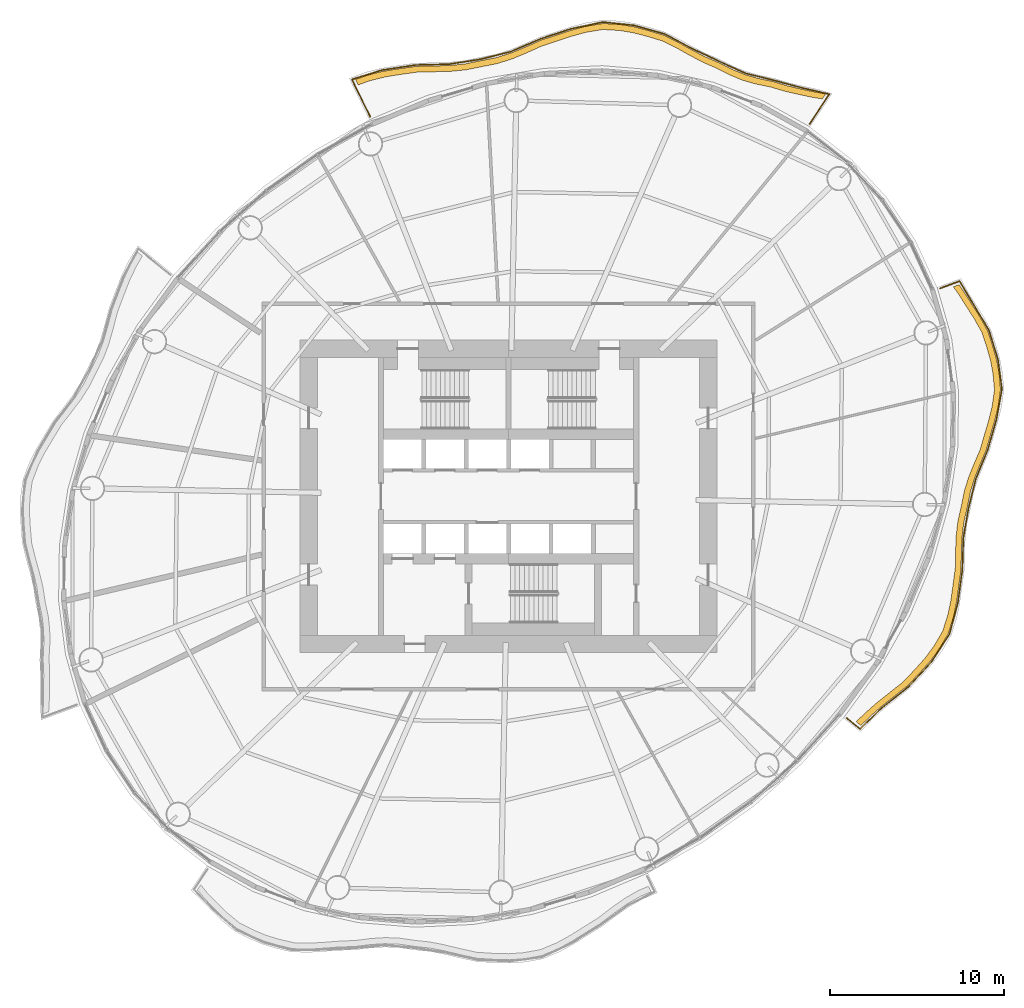
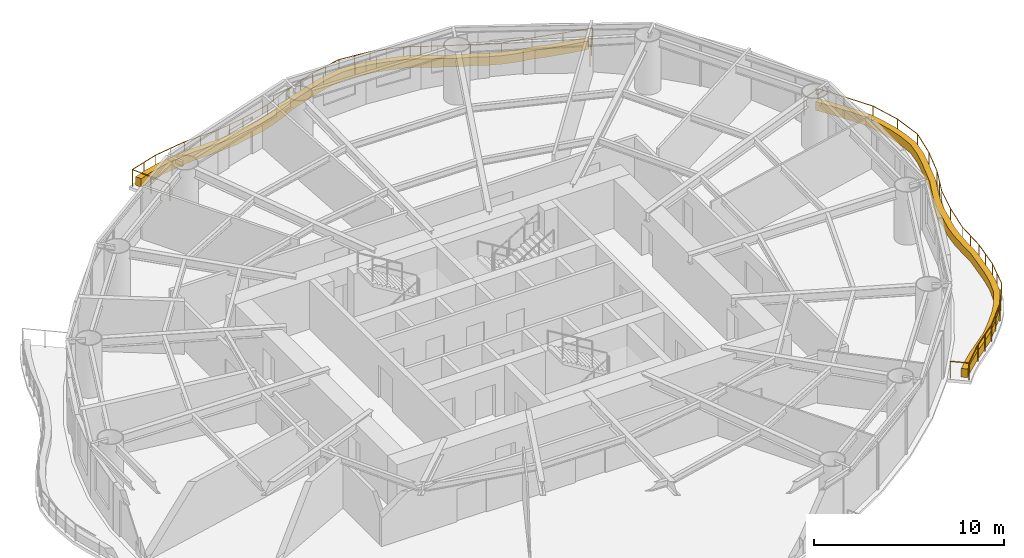
# One storey, part 14 of 14: 2 coverings, 2 railings.
"""IFC4 building model written with IfcOpenShell, lengths in metres."""

from ifc_helpers import new_model, si_unit, direction, frame, origin, origin_2d, place, context, subcontext, project, spatial, polyline, circle, outline, extrude, material, type_object, element, save


model = new_model("IFC4")

# Units and contexts
model_context = context("Model", 3, precision=1e-05, world=origin(), true_north=direction((0.0, 1.0)))
body_context = subcontext(model_context, "Body", "Model", "MODEL_VIEW")
ifc_project = project(units=[si_unit("LENGTHUNIT", "METRE"), si_unit("AREAUNIT", "SQUARE_METRE"), si_unit("VOLUMEUNIT", "CUBIC_METRE"), si_unit("PLANEANGLEUNIT", "RADIAN"), si_unit("MASSUNIT", "GRAM", prefix="KILO")], contexts=[model_context])

# Site, building, storey
site_placement = place(None, origin())
site = spatial("IfcSite", under=ifc_project, at=site_placement, CompositionType="ELEMENT")
building_placement = place(site_placement, origin())
building = spatial("IfcBuilding", under=site, at=building_placement, Name="Vermilion Reach Broadcast Tower", CompositionType="ELEMENT")
storey_placement = place(building_placement, frame((0.0, 0.0, 186.60009765625)))
storey = spatial("IfcBuildingStorey", under=building, at=storey_placement, Name="L45", CompositionType="ELEMENT", Elevation=186.60009765625)

# Coverings
ifc_material_1 = material(Name="Planting soil and greenery")
covering_type = type_object("IfcCoveringType", Name="Balcony PLANTER", PredefinedType="USERDEFINED", material=ifc_material_1)
placement = place(storey_placement, origin())
element("IfcCovering", 1, at=placement, inside=storey, type_object=covering_type, Name="PLANTER L45 group 1", ObjectType="PLANTER", PredefinedType="USERDEFINED", context=body_context, shape_type="SweptSolid", body=[
    extrude(outline(polyline([(12.265380859375, 23.180908203125), (11.613037109375, 23.29541015625), (10.833984375, 23.4638671875), (10.059814453125, 23.64111328125), (9.221435546875, 23.894775390625), (8.35791015625, 24.0751953125), (7.607177734375, 24.29150390625), (6.884521484375, 24.58251953125), (6.111083984375, 24.975830078125), (5.2861328125, 25.32861328125), (4.55322265625, 25.71240234375), (3.825439453125, 26.119384765625), (2.962158203125, 26.55126953125), (2.025146484375, 26.83447265625), (1.22021484375, 27.0458984375), (0.408935546875, 27.177734375), (-0.56494140625, 27.234375), (-1.55517578125, 27.0751953125), (-2.385986328125, 26.84912109375), (-3.214599609375, 26.572998046875), (-4.142333984375, 26.274169921875), (-5.0478515625, 25.870361328125), (-5.863525390625, 25.533447265625), (-6.6923828125, 25.27294921875), (-7.59765625, 25.094970703125), (-8.52099609375, 24.90234375), (-9.41064453125, 24.81396484375), (-10.318603515625, 24.788818359375), (-11.333251953125, 24.766357421875), (-12.350341796875, 24.62158203125), (-13.2568359375, 24.474365234375), (-14.133056640625, 24.25537109375), (-14.818603515625, 24.009765625), (-14.6650390625, 23.695068359375), (-13.9970703125, 23.932861328125), (-13.12109375, 24.15185546875), (-12.214599609375, 24.299072265625), (-11.215576171875, 24.4365234375), (-10.219970703125, 24.453125), (-9.311767578125, 24.478271484375), (-8.422119140625, 24.566650390625), (-7.5185546875, 24.75390625), (-6.63330078125, 24.927978515625), (-5.8046875, 25.1884765625), (-4.989013671875, 25.525390625), (-4.1044921875, 25.926025390625), (-3.1982421875, 26.223388671875), (-2.36962890625, 26.49951171875), (-1.53857421875, 26.7255859375), (-0.57080078125, 26.884521484375), (0.380615234375, 26.828857421875), (1.19189453125, 26.697021484375), (1.996826171875, 26.48583984375), (2.91015625, 26.205078125), (3.750244140625, 25.777587890625), (4.47802734375, 25.37060546875), (5.2109375, 24.98681640625), (6.011962890625, 24.640380859375), (6.761474609375, 24.2548828125), (7.484130859375, 23.9638671875), (8.23486328125, 23.747314453125), (9.074462890625, 23.576904296875), (9.8896484375, 23.33544921875), (10.663818359375, 23.157958984375), (11.44287109375, 22.989501953125), (12.072265625, 22.88916015625), (12.265380859375, 23.180908203125)])), origin(), (0.0, 0.0, 1.0), 0.5498046875),
])
element("IfcCovering", 2, at=placement, inside=storey, type_object=covering_type, Name="PLANTER L45 group 4", ObjectType="PLANTER", PredefinedType="USERDEFINED", context=body_context, shape_type="SweptSolid", body=[
    extrude(outline(polyline([(14.287841796875, -13.1923828125), (14.757080078125, -12.728759765625), (15.438720703125, -12.12109375), (16.1669921875, -11.54736328125), (16.97412109375, -10.899169921875), (17.6748046875, -10.16455078125), (18.274658203125, -9.4951171875), (18.8017578125, -8.784423828125), (19.313720703125, -7.900634765625), (19.621826171875, -6.941162109375), (19.79736328125, -6.0810546875), (19.917724609375, -5.197509765625), (20.053466796875, -4.20849609375), (20.0751953125, -3.2333984375), (20.10888671875, -2.36865234375), (20.208251953125, -1.52294921875), (20.409912109375, -0.635986328125), (20.582275390625, 0.23486328125), (20.8271484375, 1.02685546875), (21.138916015625, 1.80859375), (21.510498046875, 2.69384765625), (21.76513671875, 3.60009765625), (22.00244140625, 4.395263671875), (22.196044921875, 5.19091796875), (22.3271484375, 6.159423828125), (22.2421875, 7.107177734375), (22.100341796875, 7.874267578125), (21.884033203125, 8.631591796875), (21.586669921875, 9.537353515625), (21.126708984375, 10.36328125), (20.69482421875, 11.033203125), (20.2724609375, 11.705810546875), (19.9384765625, 12.19287109375), (19.6103515625, 12.0712890625), (19.935791015625, 11.610107421875), (20.3583984375, 10.937255859375), (20.7900390625, 10.267333984375), (21.243896484375, 9.466796875), (21.536865234375, 8.586669921875), (21.75341796875, 7.829345703125), (21.89501953125, 7.062255859375), (21.977783203125, 6.139404296875), (21.845947265625, 5.19580078125), (21.65234375, 4.39990234375), (21.415283203125, 3.60498046875), (21.16162109375, 2.722412109375), (20.792724609375, 1.860595703125), (20.48095703125, 1.078857421875), (20.236083984375, 0.286865234375), (20.06787109375, -0.56201171875), (19.871826171875, -1.427001953125), (19.772216796875, -2.27294921875), (19.73876953125, -3.137451171875), (19.723388671875, -4.09228515625), (19.59521484375, -5.061279296875), (19.474853515625, -5.94482421875), (19.29931640625, -6.80517578125), (18.999755859375, -7.745849609375), (18.49755859375, -8.611572265625), (17.97021484375, -9.322265625), (17.370361328125, -9.99169921875), (16.68017578125, -10.70947265625), (15.884033203125, -11.34130859375), (15.15576171875, -11.915283203125), (14.47412109375, -12.52294921875), (14.0166015625, -12.97119140625), (14.287841796875, -13.1923828125)])), origin(), (0.0, 0.0, 1.0), 0.5498046875),
])

# Railings
ifc_material_2 = material(Name="Stainless steel 316 balustrade", Category="steel")
railing_type = type_object("IfcRailingType", Name="Balcony guard 1100", PredefinedType="BALUSTRADE", material=ifc_material_2)
railing_1_placement = place(storey_placement, frame((11.33935546875, 21.45849609375, 0.0)))
element("IfcRailing", 3, at=railing_1_placement, inside=storey, type_object=railing_type, Name="Balcony guard L45 group 1", PredefinedType="BALUSTRADE", context=body_context, shape_type="SweptSolid", body=[
    extrude(circle(Radius=0.02490234375, at=origin_2d()), frame((0.0, 0.0, 1.0751953125), z_axis=(0.552407397747, 0.833574271984, 0.0), x_axis=(-0.833574271984, 0.552407397747, 0.0)), (0.0, 0.0, 1.0), 2.04150390625),
    extrude(circle(Radius=0.02490234375, at=origin_2d()), frame((1.127685546875, 1.70166015625, 1.0751953125), z_axis=(-0.97363183611, 0.228125070329, 0.0), x_axis=(-0.228125070329, -0.97363183611, 0.0)), (0.0, 0.0, 1.0), 1.637451171875),
    extrude(circle(Radius=0.02490234375, at=origin_2d()), frame((-0.466552734375, 2.0751953125, 1.0751953125), z_axis=(-0.965905099421, 0.258896386443, 0.0), x_axis=(-0.258896386443, -0.965905099421, 0.0)), (0.0, 0.0, 1.0), 1.6748046875),
    extrude(circle(Radius=0.02490234375, at=origin_2d()), frame((-2.084228515625, 2.5087890625, 1.0751953125), z_axis=(-0.970954758423, 0.239263154487, 0.0), x_axis=(-0.239263154487, -0.970954758423, 0.0)), (0.0, 0.0, 1.0), 1.668212890625),
    extrude(circle(Radius=0.02490234375, at=origin_2d()), frame((-3.7041015625, 2.907958984375, 1.0751953125), z_axis=(-0.909498439383, 0.415707335465, 0.0), x_axis=(-0.415707335465, -0.909498439383, 0.0)), (0.0, 0.0, 1.0), 1.65087890625),
    extrude(circle(Radius=0.02490234375, at=origin_2d()), frame((-5.20556640625, 3.59423828125, 1.0751953125), z_axis=(-0.90436372707, 0.4267625208, 0.0), x_axis=(-0.4267625208, -0.90436372707, 0.0)), (0.0, 0.0, 1.0), 1.728759765625),
    extrude(circle(Radius=0.02490234375, at=origin_2d()), frame((-6.76904296875, 4.33203125, 1.0751953125), z_axis=(-0.884976939413, 0.465634853408, 0.0), x_axis=(-0.465634853408, -0.884976939413, 0.0)), (0.0, 0.0, 1.0), 1.8037109375),
    extrude(circle(Radius=0.02490234375, at=origin_2d()), frame((-8.365234375, 5.171875, 1.0751953125), z_axis=(-0.962084994332, 0.272749818849, 0.0), x_axis=(-0.272749818849, -0.962084994332, 0.0)), (0.0, 0.0, 1.0), 1.816162109375),
    extrude(circle(Radius=0.02490234375, at=origin_2d()), frame((-10.112548828125, 5.667236328125, 1.0751953125), z_axis=(-0.994489836465, 0.104833034718, 0.0), x_axis=(-0.104833034718, -0.994489836465, 0.0)), (0.0, 0.0, 1.0), 1.80029296875),
    extrude(circle(Radius=0.02490234375, at=origin_2d()), frame((-11.90283203125, 5.85595703125, 1.0751953125), z_axis=(-0.978442800745, -0.206518003258, 0.0), x_axis=(0.206518003258, -0.978442800745, 0.0)), (0.0, 0.0, 1.0), 1.86669921875),
    extrude(circle(Radius=0.02490234375, at=origin_2d()), frame((-13.729248046875, 5.470458984375, 1.0751953125), z_axis=(-0.950537981104, -0.310608349017, 0.0), x_axis=(0.310608349017, -0.950537981104, 0.0)), (0.0, 0.0, 1.0), 1.8525390625),
    extrude(circle(Radius=0.02490234375, at=origin_2d()), frame((-15.490234375, 4.89501953125, 1.0751953125), z_axis=(-0.918862453121, -0.394577992599, 0.0), x_axis=(0.394577992599, -0.918862453121, 0.0)), (0.0, 0.0, 1.0), 1.87841796875),
    extrude(circle(Radius=0.02490234375, at=origin_2d()), frame((-17.21630859375, 4.15380859375, 1.0751953125), z_axis=(-0.969514688715, -0.245033198496, 0.0), x_axis=(0.245033198496, -0.969514688715, 0.0)), (0.0, 0.0, 1.0), 1.79345703125),
    extrude(circle(Radius=0.02490234375, at=origin_2d()), frame((-18.955078125, 3.71435546875, 1.0751953125), z_axis=(-0.988175984078, -0.153323920152, 0.0), x_axis=(0.153323920152, -0.988175984078, 0.0)), (0.0, 0.0, 1.0), 1.839111328125),
    extrude(circle(Radius=0.02490234375, at=origin_2d()), frame((-20.7724609375, 3.432373046875, 1.0751953125), z_axis=(-0.999672677948, -0.025583920049, 0.0), x_axis=(0.025583920049, -0.999672677948, 0.0)), (0.0, 0.0, 1.0), 1.927734375),
    extrude(circle(Radius=0.02490234375, at=origin_2d()), frame((-22.699462890625, 3.383056640625, 1.0751953125), z_axis=(-0.98861357477, -0.150476575519, 0.0), x_axis=(0.150476575519, -0.98861357477, 0.0)), (0.0, 0.0, 1.0), 1.9501953125),
    extrude(circle(Radius=0.02490234375, at=origin_2d()), frame((-24.62744140625, 3.089599609375, 1.0751953125), z_axis=(-0.955215209118, -0.295911987371, 0.0), x_axis=(0.295911987371, -0.955215209118, 0.0)), (0.0, 0.0, 1.0), 1.812744140625),
    extrude(circle(Radius=0.02490234375, at=origin_2d()), frame((-26.35888671875, 2.55322265625, 1.0751953125), z_axis=(0.438340880674, -0.898808807439, 0.0), x_axis=(0.898808807439, 0.438340880674, 0.0)), (0.0, 0.0, 1.0), 2.38330078125),
    extrude(circle(Radius=0.02490234375, at=origin_2d()), origin(), (0.0, 0.0, 1.0), 1.050048828125),
    extrude(circle(Radius=0.02490234375, at=origin_2d()), frame((0.56396484375, 0.850830078125, 0.0)), (0.0, 0.0, 1.0), 1.050048828125),
    extrude(circle(Radius=0.02490234375, at=origin_2d()), frame((1.127685546875, 1.70166015625, 0.0)), (0.0, 0.0, 1.0), 1.050048828125),
    extrude(circle(Radius=0.02490234375, at=origin_2d()), frame((-0.466552734375, 2.0751953125, 0.0)), (0.0, 0.0, 1.0), 1.050048828125),
    extrude(circle(Radius=0.02490234375, at=origin_2d()), frame((-2.084228515625, 2.5087890625, 0.0)), (0.0, 0.0, 1.0), 1.050048828125),
    extrude(circle(Radius=0.02490234375, at=origin_2d()), frame((-3.7041015625, 2.907958984375, 0.0)), (0.0, 0.0, 1.0), 1.050048828125),
    extrude(circle(Radius=0.02490234375, at=origin_2d()), frame((-5.20556640625, 3.59423828125, 0.0)), (0.0, 0.0, 1.0), 1.050048828125),
    extrude(circle(Radius=0.02490234375, at=origin_2d()), frame((-6.76904296875, 4.33203125, 0.0)), (0.0, 0.0, 1.0), 1.050048828125),
    extrude(circle(Radius=0.02490234375, at=origin_2d()), frame((-7.567138671875, 4.751953125, 0.0)), (0.0, 0.0, 1.0), 1.050048828125),
    extrude(circle(Radius=0.02490234375, at=origin_2d()), frame((-8.365234375, 5.171875, 0.0)), (0.0, 0.0, 1.0), 1.050048828125),
    extrude(circle(Radius=0.02490234375, at=origin_2d()), frame((-9.23876953125, 5.41943359375, 0.0)), (0.0, 0.0, 1.0), 1.050048828125),
    extrude(circle(Radius=0.02490234375, at=origin_2d()), frame((-10.112548828125, 5.667236328125, 0.0)), (0.0, 0.0, 1.0), 1.050048828125),
    extrude(circle(Radius=0.02490234375, at=origin_2d()), frame((-11.0078125, 5.76171875, 0.0)), (0.0, 0.0, 1.0), 1.050048828125),
    extrude(circle(Radius=0.02490234375, at=origin_2d()), frame((-11.90283203125, 5.85595703125, 0.0)), (0.0, 0.0, 1.0), 1.050048828125),
    extrude(circle(Radius=0.02490234375, at=origin_2d()), frame((-12.81591796875, 5.6630859375, 0.0)), (0.0, 0.0, 1.0), 1.050048828125),
    extrude(circle(Radius=0.02490234375, at=origin_2d()), frame((-13.729248046875, 5.470458984375, 0.0)), (0.0, 0.0, 1.0), 1.050048828125),
    extrude(circle(Radius=0.02490234375, at=origin_2d()), frame((-14.60986328125, 5.1826171875, 0.0)), (0.0, 0.0, 1.0), 1.050048828125),
    extrude(circle(Radius=0.02490234375, at=origin_2d()), frame((-15.490234375, 4.89501953125, 0.0)), (0.0, 0.0, 1.0), 1.050048828125),
    extrude(circle(Radius=0.02490234375, at=origin_2d()), frame((-16.353271484375, 4.5244140625, 0.0)), (0.0, 0.0, 1.0), 1.050048828125),
    extrude(circle(Radius=0.02490234375, at=origin_2d()), frame((-17.21630859375, 4.15380859375, 0.0)), (0.0, 0.0, 1.0), 1.050048828125),
    extrude(circle(Radius=0.02490234375, at=origin_2d()), frame((-18.955078125, 3.71435546875, 0.0)), (0.0, 0.0, 1.0), 1.050048828125),
    extrude(circle(Radius=0.02490234375, at=origin_2d()), frame((-19.86376953125, 3.5732421875, 0.0)), (0.0, 0.0, 1.0), 1.050048828125),
    extrude(circle(Radius=0.02490234375, at=origin_2d()), frame((-20.7724609375, 3.432373046875, 0.0)), (0.0, 0.0, 1.0), 1.050048828125),
    extrude(circle(Radius=0.02490234375, at=origin_2d()), frame((-21.73583984375, 3.40771484375, 0.0)), (0.0, 0.0, 1.0), 1.050048828125),
    extrude(circle(Radius=0.02490234375, at=origin_2d()), frame((-22.699462890625, 3.383056640625, 0.0)), (0.0, 0.0, 1.0), 1.050048828125),
    extrude(circle(Radius=0.02490234375, at=origin_2d()), frame((-23.66357421875, 3.236328125, 0.0)), (0.0, 0.0, 1.0), 1.050048828125),
    extrude(circle(Radius=0.02490234375, at=origin_2d()), frame((-24.62744140625, 3.089599609375, 0.0)), (0.0, 0.0, 1.0), 1.050048828125),
    extrude(circle(Radius=0.02490234375, at=origin_2d()), frame((-25.4931640625, 2.8212890625, 0.0)), (0.0, 0.0, 1.0), 1.050048828125),
    extrude(circle(Radius=0.02490234375, at=origin_2d()), frame((-26.35888671875, 2.55322265625, 0.0)), (0.0, 0.0, 1.0), 1.050048828125),
    extrude(circle(Radius=0.02490234375, at=origin_2d()), frame((-25.83642578125, 1.482177734375, 0.0)), (0.0, 0.0, 1.0), 1.050048828125),
    extrude(circle(Radius=0.02490234375, at=origin_2d()), frame((-25.314208984375, 0.4111328125, 0.0)), (0.0, 0.0, 1.0), 1.050048828125),
])
railing_2_placement = place(storey_placement, frame((13.470703125, -12.758056640625, 0.0)))
element("IfcRailing", 4, at=railing_2_placement, inside=storey, type_object=railing_type, Name="Balcony guard L45 group 4", PredefinedType="BALUSTRADE", context=body_context, shape_type="SweptSolid", body=[
    extrude(circle(Radius=0.02490234375, at=origin_2d()), frame((0.0, 0.0, 1.0751953125), z_axis=(0.775057410208, -0.631890821963, 0.0), x_axis=(0.631890821963, 0.775057410208, 0.0)), (0.0, 0.0, 1.0), 0.99755859375),
    extrude(circle(Radius=0.02490234375, at=origin_2d()), frame((0.773193359375, -0.63037109375, 1.0751953125), z_axis=(0.718225003334, 0.695810925889, 0.0), x_axis=(-0.695810925889, 0.718225003334, 0.0)), (0.0, 0.0, 1.0), 1.753662109375),
    extrude(circle(Radius=0.02490234375, at=origin_2d()), frame((2.03271484375, 0.58984375, 1.0751953125), z_axis=(0.782078458389, 0.623179977955, 0.0), x_axis=(-0.623179977955, 0.782078458389, 0.0)), (0.0, 0.0, 1.0), 1.966552734375),
    extrude(circle(Radius=0.02490234375, at=origin_2d()), frame((3.57080078125, 1.8154296875, 1.0751953125), z_axis=(0.679146573674, 0.734002678106, 0.0), x_axis=(-0.734002678106, 0.679146573674, 0.0)), (0.0, 0.0, 1.0), 1.918212890625),
    extrude(circle(Radius=0.02490234375, at=origin_2d()), frame((4.87353515625, 3.223388671875, 1.0751953125), z_axis=(0.545779749586, 0.837928675331, 0.0), x_axis=(-0.837928675331, 0.545779749586, 0.0)), (0.0, 0.0, 1.0), 1.907958984375),
    extrude(circle(Radius=0.02490234375, at=origin_2d()), frame((5.914794921875, 4.822021484375, 1.0751953125), z_axis=(0.25726815222, 0.966340052908, 0.0), x_axis=(-0.966340052908, 0.25726815222, 0.0)), (0.0, 0.0, 1.0), 1.887451171875),
    extrude(circle(Radius=0.02490234375, at=origin_2d()), frame((6.400390625, 6.64599609375, 1.0751953125), z_axis=(0.136079220166, 0.990697958936, 0.0), x_axis=(-0.990697958936, 0.136079220166, 0.0)), (0.0, 0.0, 1.0), 1.89453125),
    extrude(circle(Radius=0.02490234375, at=origin_2d()), frame((6.658203125, 8.52294921875, 1.0751953125), z_axis=(0.030825846667, 0.999524770667, 0.0), x_axis=(-0.999524770667, 0.030825846667, 0.0)), (0.0, 0.0, 1.0), 1.845458984375),
    extrude(circle(Radius=0.02490234375, at=origin_2d()), frame((6.715087890625, 10.367431640625, 1.0751953125), z_axis=(0.171352857138, 0.985209723029, 0.0), x_axis=(-0.985209723029, 0.171352857138, 0.0)), (0.0, 0.0, 1.0), 1.763916015625),
    extrude(circle(Radius=0.02490234375, at=origin_2d()), frame((7.017333984375, 12.105224609375, 1.0751953125), z_axis=(0.243237183235, 0.969966841027, 0.0), x_axis=(-0.969966841027, 0.243237183235, 0.0)), (0.0, 0.0, 1.0), 1.719482421875),
    extrude(circle(Radius=0.02490234375, at=origin_2d()), frame((7.435546875, 13.77294921875, 1.0751953125), z_axis=(0.378438185827, 0.925626565905, 0.0), x_axis=(-0.925626565905, 0.378438185827, 0.0)), (0.0, 0.0, 1.0), 1.806884765625),
    extrude(circle(Radius=0.02490234375, at=origin_2d()), frame((8.119384765625, 15.445556640625, 1.0751953125), z_axis=(0.277116724302, 0.960836261343, 0.0), x_axis=(-0.960836261343, 0.277116724302, 0.0)), (0.0, 0.0, 1.0), 1.776123046875),
    extrude(circle(Radius=0.02490234375, at=origin_2d()), frame((8.611572265625, 17.152099609375, 1.0751953125), z_axis=(0.180437247289, 0.983586498378, 0.0), x_axis=(-0.983586498378, 0.180437247289, 0.0)), (0.0, 0.0, 1.0), 1.799560546875),
    extrude(circle(Radius=0.02490234375, at=origin_2d()), frame((8.936279296875, 18.922119140625, 1.0751953125), z_axis=(-0.13097489331, 0.991385685454, 0.0), x_axis=(-0.991385685454, -0.13097489331, 0.0)), (0.0, 0.0, 1.0), 1.7353515625),
    extrude(circle(Radius=0.02490234375, at=origin_2d()), frame((8.708984375, 20.642578125, 1.0751953125), z_axis=(-0.294675173495, 0.955597479133, 0.0), x_axis=(-0.955597479133, -0.294675173495, 0.0)), (0.0, 0.0, 1.0), 1.74658203125),
    extrude(circle(Radius=0.02490234375, at=origin_2d()), frame((8.1943359375, 22.3115234375, 1.0751953125), z_axis=(-0.511142354451, 0.8594960695, 0.0), x_axis=(-0.8594960695, -0.511142354451, 0.0)), (0.0, 0.0, 1.0), 1.747314453125),
    extrude(circle(Radius=0.02490234375, at=origin_2d()), frame((7.30126953125, 23.813232421875, 1.0751953125), z_axis=(-0.516584043079, 0.856236489783, 0.0), x_axis=(-0.856236489783, -0.516584043079, 0.0)), (0.0, 0.0, 1.0), 1.5634765625),
    extrude(circle(Radius=0.02490234375, at=origin_2d()), frame((6.49365234375, 25.15185546875, 1.0751953125), z_axis=(-0.937674325327, -0.347515265308, 0.0), x_axis=(0.347515265308, -0.937674325327, 0.0)), (0.0, 0.0, 1.0), 1.187255859375),
    extrude(circle(Radius=0.02490234375, at=origin_2d()), origin(), (0.0, 0.0, 1.0), 1.050048828125),
    extrude(circle(Radius=0.02490234375, at=origin_2d()), frame((0.773193359375, -0.63037109375, 0.0)), (0.0, 0.0, 1.0), 1.050048828125),
    extrude(circle(Radius=0.02490234375, at=origin_2d()), frame((2.03271484375, 0.58984375, 0.0)), (0.0, 0.0, 1.0), 1.050048828125),
    extrude(circle(Radius=0.02490234375, at=origin_2d()), frame((2.8017578125, 1.20263671875, 0.0)), (0.0, 0.0, 1.0), 1.050048828125),
    extrude(circle(Radius=0.02490234375, at=origin_2d()), frame((3.57080078125, 1.8154296875, 0.0)), (0.0, 0.0, 1.0), 1.050048828125),
    extrude(circle(Radius=0.02490234375, at=origin_2d()), frame((4.22216796875, 2.51953125, 0.0)), (0.0, 0.0, 1.0), 1.050048828125),
    extrude(circle(Radius=0.02490234375, at=origin_2d()), frame((4.87353515625, 3.223388671875, 0.0)), (0.0, 0.0, 1.0), 1.050048828125),
    extrude(circle(Radius=0.02490234375, at=origin_2d()), frame((5.39404296875, 4.022705078125, 0.0)), (0.0, 0.0, 1.0), 1.050048828125),
    extrude(circle(Radius=0.02490234375, at=origin_2d()), frame((5.914794921875, 4.822021484375, 0.0)), (0.0, 0.0, 1.0), 1.050048828125),
    extrude(circle(Radius=0.02490234375, at=origin_2d()), frame((6.15771484375, 5.73388671875, 0.0)), (0.0, 0.0, 1.0), 1.050048828125),
    extrude(circle(Radius=0.02490234375, at=origin_2d()), frame((6.400390625, 6.64599609375, 0.0)), (0.0, 0.0, 1.0), 1.050048828125),
    extrude(circle(Radius=0.02490234375, at=origin_2d()), frame((6.529296875, 7.58447265625, 0.0)), (0.0, 0.0, 1.0), 1.050048828125),
    extrude(circle(Radius=0.02490234375, at=origin_2d()), frame((6.658203125, 8.52294921875, 0.0)), (0.0, 0.0, 1.0), 1.050048828125),
    extrude(circle(Radius=0.02490234375, at=origin_2d()), frame((6.6865234375, 9.4453125, 0.0)), (0.0, 0.0, 1.0), 1.050048828125),
    extrude(circle(Radius=0.02490234375, at=origin_2d()), frame((6.715087890625, 10.367431640625, 0.0)), (0.0, 0.0, 1.0), 1.050048828125),
    extrude(circle(Radius=0.02490234375, at=origin_2d()), frame((7.017333984375, 12.105224609375, 0.0)), (0.0, 0.0, 1.0), 1.050048828125),
    extrude(circle(Radius=0.02490234375, at=origin_2d()), frame((7.435546875, 13.77294921875, 0.0)), (0.0, 0.0, 1.0), 1.050048828125),
    extrude(circle(Radius=0.02490234375, at=origin_2d()), frame((7.77734375, 14.609375, 0.0)), (0.0, 0.0, 1.0), 1.050048828125),
    extrude(circle(Radius=0.02490234375, at=origin_2d()), frame((8.119384765625, 15.445556640625, 0.0)), (0.0, 0.0, 1.0), 1.050048828125),
    extrude(circle(Radius=0.02490234375, at=origin_2d()), frame((8.611572265625, 17.152099609375, 0.0)), (0.0, 0.0, 1.0), 1.050048828125),
    extrude(circle(Radius=0.02490234375, at=origin_2d()), frame((8.936279296875, 18.922119140625, 0.0)), (0.0, 0.0, 1.0), 1.050048828125),
    extrude(circle(Radius=0.02490234375, at=origin_2d()), frame((8.708984375, 20.642578125, 0.0)), (0.0, 0.0, 1.0), 1.050048828125),
    extrude(circle(Radius=0.02490234375, at=origin_2d()), frame((8.1943359375, 22.3115234375, 0.0)), (0.0, 0.0, 1.0), 1.050048828125),
    extrude(circle(Radius=0.02490234375, at=origin_2d()), frame((7.30126953125, 23.813232421875, 0.0)), (0.0, 0.0, 1.0), 1.050048828125),
    extrude(circle(Radius=0.02490234375, at=origin_2d()), frame((6.49365234375, 25.15185546875, 0.0)), (0.0, 0.0, 1.0), 1.050048828125),
    extrude(circle(Radius=0.02490234375, at=origin_2d()), frame((5.38037109375, 24.7392578125, 0.0)), (0.0, 0.0, 1.0), 1.050048828125),
])

save(model, "model.ifc")
